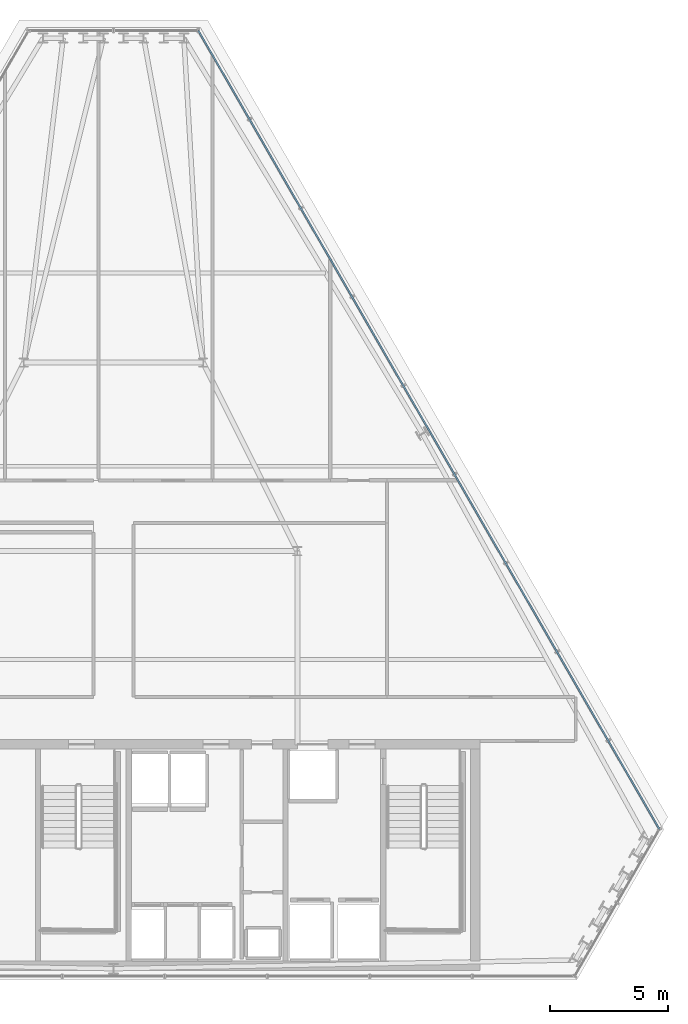
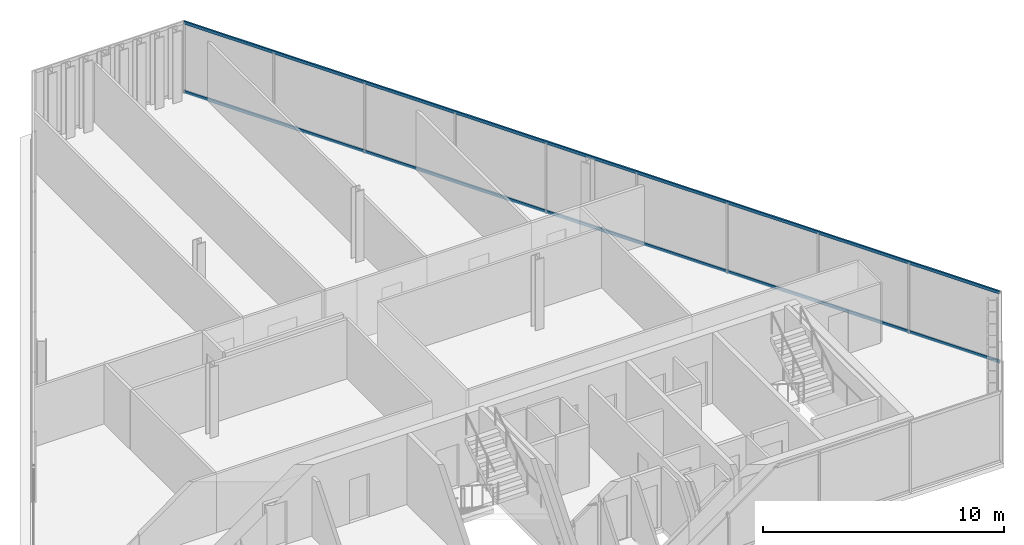
# One storey, part 18 of 29: 2 members, 1 element without a shape of its own.
"""IFC4 building model written with IfcOpenShell, lengths in metres."""

from ifc_helpers import new_model, si_unit, direction, frame, origin, origin_2d, place, context, subcontext, project, spatial, hollow_rectangle, extrude, material, layer, layer_set, material_profile, profile_set, type_object, element, aggregate, save


model = new_model("IFC4")

# Units and contexts
model_context = context("Model", 3, precision=1e-05, world=origin(), true_north=direction((0.0, 1.0)))
body_context = subcontext(model_context, "Body", "Model", "MODEL_VIEW")
ifc_project = project(units=[si_unit("LENGTHUNIT", "METRE"), si_unit("AREAUNIT", "SQUARE_METRE"), si_unit("VOLUMEUNIT", "CUBIC_METRE"), si_unit("PLANEANGLEUNIT", "RADIAN"), si_unit("MASSUNIT", "GRAM", prefix="KILO")], contexts=[model_context])

# Site, building, storey
site_placement = place(None, origin())
site = spatial("IfcSite", under=ifc_project, at=site_placement, CompositionType="ELEMENT")
building_placement = place(site_placement, origin())
building = spatial("IfcBuilding", under=site, at=building_placement, Name="Ndaravel Arena Tower", CompositionType="ELEMENT")
storey_placement = place(building_placement, frame((0.0, 0.0, 229.39990234375)))
storey = spatial("IfcBuildingStorey", under=building, at=storey_placement, Name="L55", CompositionType="ELEMENT", Elevation=229.39990234375)

# Curtain wall, members
ifc_material_1 = material(Name="Aluminium", Category="aluminium")
ifc_layer = layer(ifc_material_1, 0.179931640625)
ifc_layer_set = layer_set([ifc_layer], Name="Aluminium")
curtain_wall_type = type_object("IfcCurtainWallType", Name="CW-SYS-03", PredefinedType="NOTDEFINED", material=ifc_layer_set)
curtain_wall_placement = place(storey_placement, origin())
curtain_wall = element("IfcCurtainWall", 1, at=curtain_wall_placement, inside=storey, type_object=curtain_wall_type, Name="L55 Faceted Crystal Curtain Wall CW-L55-E03", PredefinedType="NOTDEFINED")
ifc_material_2 = material(Name="Aluminium", Category="aluminium")
ifc_material_profile = material_profile(ifc_material_2, hollow_rectangle(XDim=0.074951171875, YDim=0.14990234375, WallThickness=0.00390625, at=origin_2d()), Name="CW TRANSOM 75x150x4")
ifc_profile_set = profile_set([ifc_material_profile], Name="Aluminium")
member_type = type_object("IfcMemberType", Name="MEM-CW-TRN150", PredefinedType="USERDEFINED", material=ifc_profile_set)
member_1_placement = place(storey_placement, frame((65.168212890625, 11.39501953125, 0.0400390625), z_axis=(-0.500000184703, 0.866025297146, 0.0), x_axis=(-0.866025297146, -0.500000184703, 0.0)))
member_1 = element("IfcMember", 2, at=member_1_placement, type_object=member_type, Name="CW-L55-E03 Transom 01", ObjectType="TRANSOM", PredefinedType="USERDEFINED", context=body_context, shape_type="SweptSolid", body=[
    extrude(hollow_rectangle(XDim=0.074951171875, YDim=0.14990234375, WallThickness=0.00390625, at=origin_2d()), origin(), (0.0, 0.0, 1.0), 39.13720703125),
])
member_2_placement = place(storey_placement, frame((65.168212890625, 11.39501953125, 3.5400390625), z_axis=(-0.500000184703, 0.866025297146, 0.0), x_axis=(-0.866025297146, -0.500000184703, 0.0)))
member_2 = element("IfcMember", 3, at=member_2_placement, type_object=member_type, Name="CW-L55-E03 Transom 02", ObjectType="TRANSOM", PredefinedType="USERDEFINED", context=body_context, shape_type="SweptSolid", body=[
    extrude(hollow_rectangle(XDim=0.074951171875, YDim=0.14990234375, WallThickness=0.00390625, at=origin_2d()), origin(), (0.0, 0.0, 1.0), 39.13720703125),
])
aggregate(curtain_wall, [member_1, member_2])

save(model, "model.ifc")
